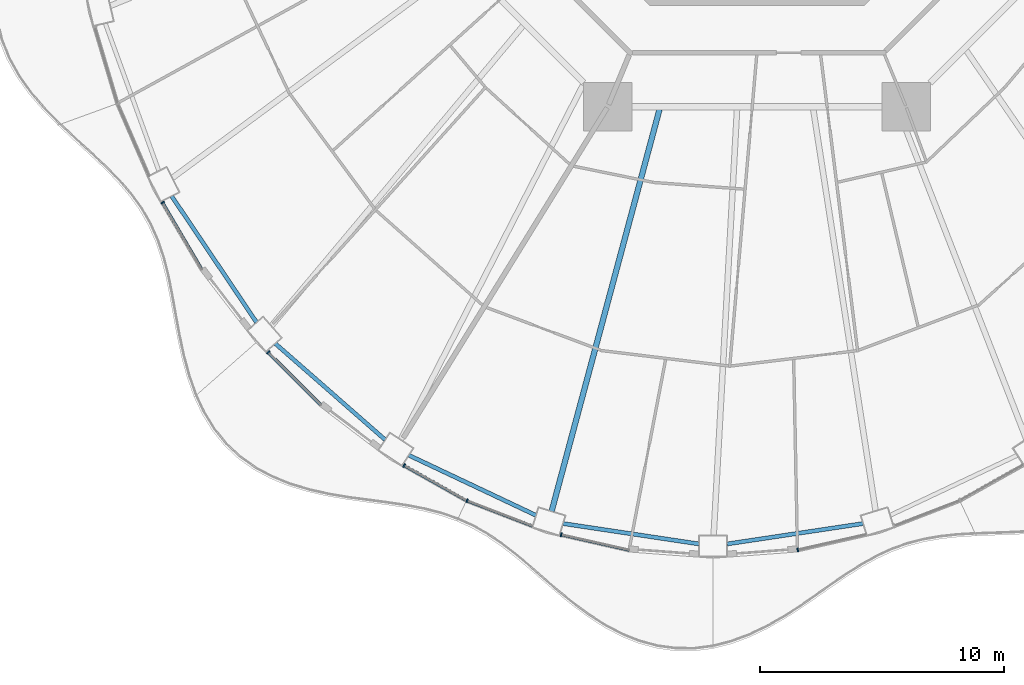
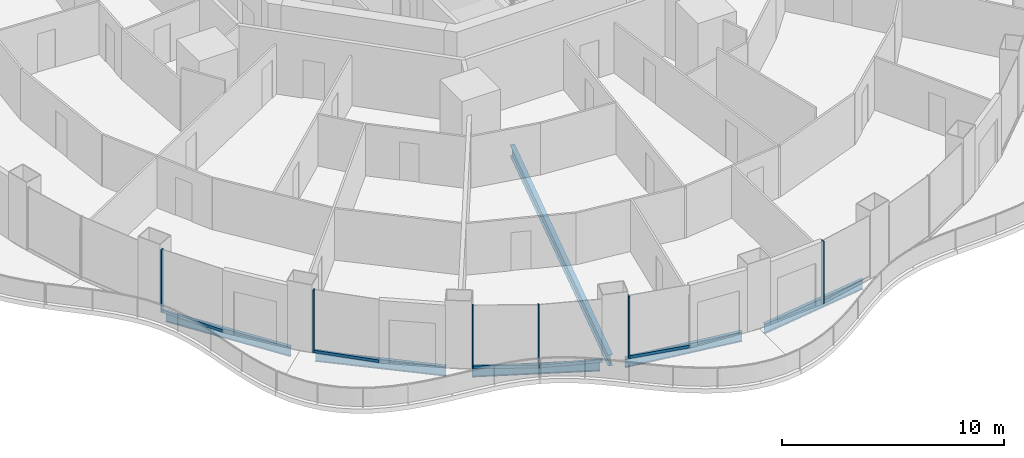
# One storey, part 2 of 21: 11 members, 6 beams, 6 elements without a shape of their own.
"""IFC4 building model written with IfcOpenShell, lengths in metres."""

from ifc_helpers import new_model, si_unit, direction, frame, origin, origin_2d, place, context, subcontext, project, spatial, rectangle, i_section, extrude, material, layer, layer_set, material_profile, profile_set, type_object, element, aggregate, save


model = new_model("IFC4")

# Units and contexts
model_context = context("Model", 3, precision=1e-05, world=origin(), true_north=direction((0.0, 1.0)))
body_context = subcontext(model_context, "Body", "Model", "MODEL_VIEW")
ifc_project = project(units=[si_unit("LENGTHUNIT", "METRE"), si_unit("AREAUNIT", "SQUARE_METRE"), si_unit("VOLUMEUNIT", "CUBIC_METRE"), si_unit("PLANEANGLEUNIT", "RADIAN"), si_unit("MASSUNIT", "GRAM", prefix="KILO")], contexts=[model_context])

# Site, building, storey
site_placement = place(None, origin())
site = spatial("IfcSite", under=ifc_project, at=site_placement, CompositionType="ELEMENT")
building_placement = place(site_placement, origin())
building = spatial("IfcBuilding", under=site, at=building_placement, Name="Nagisa Residences", CompositionType="ELEMENT")
storey_placement = place(building_placement, frame((0.0, 0.0, 138.10009765625)))
storey = spatial("IfcBuildingStorey", under=building, at=storey_placement, Name="L34", CompositionType="ELEMENT", Elevation=138.10009765625)

# Curtain wall, member
ifc_material_1 = material(Name="Concrete-coloured aluminium curtain wall system", Category="concrete")
ifc_layer = layer(ifc_material_1, 0.159912109375)
ifc_layer_set = layer_set([ifc_layer], Name="CW1 CURTAIN WALL")
curtain_wall_type = type_object("IfcCurtainWallType", Name="CW1 CURTAIN WALL", PredefinedType="NOTDEFINED", material=ifc_layer_set)
curtain_wall_1_placement = place(storey_placement, origin())
curtain_wall_1 = element("IfcCurtainWall", 1, at=curtain_wall_1_placement, inside=storey, type_object=curtain_wall_type, Name="cw:CW1:L34:28", PredefinedType="NOTDEFINED")
ifc_material_2 = material(Name="Concrete-coloured aluminium", Category="concrete")
ifc_material_profile_1 = material_profile(ifc_material_2, rectangle(XDim=0.159912109375, YDim=0.06005859375, at=origin_2d()), Name="CW1 MULLION 160x60")
ifc_profile_set_1 = profile_set([ifc_material_profile_1], Name="Concrete-coloured aluminium")
member_type_1 = type_object("IfcMemberType", Name="CW1 MULLION 160x60", PredefinedType="MULLION", material=ifc_profile_set_1)
member_1_placement = place(storey_placement, frame((-24.39208984375, -18.718017578125, 0.0), z_axis=(0.0, 0.0, 1.0), x_axis=(0.862328898214, 0.506348567002, 0.0)))
member_1 = element("IfcMember", 2, at=member_1_placement, type_object=member_type_1, Name="CW1 mullion", PredefinedType="MULLION", context=body_context, shape_type="SweptSolid", body=[
    extrude(rectangle(XDim=0.159912109375, YDim=0.06005859375, at=origin_2d()), origin(), (0.0, 0.0, 1.0), 3.43994140625),
])

curtain_wall_2_placement = place(storey_placement, origin())
curtain_wall_2 = element("IfcCurtainWall", 3, at=curtain_wall_2_placement, inside=storey, type_object=curtain_wall_type, Name="cw:CW1:L34:30", PredefinedType="NOTDEFINED")
member_2_placement = place(storey_placement, frame((-20.060546875, -24.857177734375, 0.0), z_axis=(0.0, 0.0, 1.0), x_axis=(0.706376885714, 0.707835924016, 0.0)))
member_2 = element("IfcMember", 4, at=member_2_placement, type_object=member_type_1, Name="CW1 mullion", PredefinedType="MULLION", context=body_context, shape_type="SweptSolid", body=[
    extrude(rectangle(XDim=0.159912109375, YDim=0.06005859375, at=origin_2d()), origin(), (0.0, 0.0, 1.0), 3.43994140625),
])

curtain_wall_3_placement = place(storey_placement, origin())
curtain_wall_3 = element("IfcCurtainWall", 5, at=curtain_wall_3_placement, inside=storey, type_object=curtain_wall_type, Name="cw:CW1:L34:32", PredefinedType="NOTDEFINED")
member_3_placement = place(storey_placement, frame((-14.47900390625, -29.505859375, 0.0), z_axis=(0.0, 0.0, 1.0), x_axis=(0.489376918501, 0.872072377523, 0.0)))
member_3 = element("IfcMember", 6, at=member_3_placement, type_object=member_type_1, Name="CW1 mullion", PredefinedType="MULLION", context=body_context, shape_type="SweptSolid", body=[
    extrude(rectangle(XDim=0.159912109375, YDim=0.06005859375, at=origin_2d()), origin(), (0.0, 0.0, 1.0), 3.43994140625),
])

curtain_wall_4_placement = place(storey_placement, origin())
curtain_wall_4 = element("IfcCurtainWall", 7, at=curtain_wall_4_placement, inside=storey, type_object=curtain_wall_type, Name="cw:CW1:L34:33", PredefinedType="NOTDEFINED")
member_4_placement = place(storey_placement, frame((-11.897705078125, -30.950439453125, 0.0), z_axis=(0.0, 0.0, 1.0), x_axis=(0.360327770268, 0.932825759707, 0.0)))
member_4 = element("IfcMember", 8, at=member_4_placement, type_object=member_type_1, Name="CW1 mullion", PredefinedType="MULLION", context=body_context, shape_type="SweptSolid", body=[
    extrude(rectangle(XDim=0.159912109375, YDim=0.06005859375, at=origin_2d()), origin(), (0.0, 0.0, 1.0), 3.43994140625),
])

curtain_wall_5_placement = place(storey_placement, origin())
curtain_wall_5 = element("IfcCurtainWall", 9, at=curtain_wall_5_placement, inside=storey, type_object=curtain_wall_type, Name="cw:CW1:L34:34", PredefinedType="NOTDEFINED")
member_5_placement = place(storey_placement, frame((-8.03564453125, -32.344970703125, 0.0), z_axis=(0.0, 0.0, 1.0), x_axis=(0.2207639201, 0.975327274089, 0.0)))
member_5 = element("IfcMember", 10, at=member_5_placement, type_object=member_type_1, Name="CW1 mullion", PredefinedType="MULLION", context=body_context, shape_type="SweptSolid", body=[
    extrude(rectangle(XDim=0.159912109375, YDim=0.06005859375, at=origin_2d()), origin(), (0.0, 0.0, 1.0), 3.43994140625),
])

curtain_wall_6_placement = place(storey_placement, origin())
curtain_wall_6 = element("IfcCurtainWall", 11, at=curtain_wall_6_placement, inside=storey, type_object=curtain_wall_type, Name="cw:CW1:L34:37", PredefinedType="NOTDEFINED")
member_6_placement = place(storey_placement, frame((1.675048828125, -32.9697265625, 0.0), z_axis=(0.0, 0.0, 1.0), x_axis=(-0.2207639201, 0.975327274089, 0.0)))
member_6 = element("IfcMember", 12, at=member_6_placement, type_object=member_type_1, Name="CW1 mullion", PredefinedType="MULLION", context=body_context, shape_type="SweptSolid", body=[
    extrude(rectangle(XDim=0.159912109375, YDim=0.06005859375, at=origin_2d()), origin(), (0.0, 0.0, 1.0), 3.43994140625),
])
aggregate(curtain_wall_6, [member_6])

# Member
ifc_material_3 = material(Name="Concrete-coloured aluminium", Category="concrete")
ifc_material_profile_2 = material_profile(ifc_material_3, rectangle(XDim=0.1201171875, YDim=0.14990234375, at=origin_2d()), Name="CW1 TRANSOM 120x150")
ifc_profile_set_2 = profile_set([ifc_material_profile_2], Name="Concrete-coloured aluminium")
member_type_2 = type_object("IfcMemberType", Name="CW1 TRANSOM 120x150", PredefinedType="USERDEFINED", material=ifc_profile_set_2)
member_7_placement = place(storey_placement, frame((-24.4072265625, -18.692138671875, 0.074951171875), z_axis=(0.506348207891, -0.86232910908, 0.0), x_axis=(0.86232910908, 0.506348207891, 0.0)))
member_7 = element("IfcMember", 13, at=member_7_placement, type_object=member_type_2, Name="CW1 transom", ObjectType="TRANSOM", PredefinedType="USERDEFINED", context=body_context, shape_type="SweptSolid", body=[
    extrude(rectangle(XDim=0.1201171875, YDim=0.14990234375, at=origin_2d()), origin(), (0.0, 0.0, 1.0), 3.208251953125),
])

aggregate(curtain_wall_1, [member_1, member_7])

member_8_placement = place(storey_placement, frame((-20.081787109375, -24.8359375, 0.074951171875), z_axis=(0.707818274975, -0.706394570768, 0.0), x_axis=(0.706394570768, 0.707818274975, 0.0)))
member_8 = element("IfcMember", 14, at=member_8_placement, type_object=member_type_2, Name="CW1 transom", ObjectType="TRANSOM", PredefinedType="USERDEFINED", context=body_context, shape_type="SweptSolid", body=[
    extrude(rectangle(XDim=0.1201171875, YDim=0.14990234375, at=origin_2d()), origin(), (0.0, 0.0, 1.0), 3.086669921875),
])

aggregate(curtain_wall_2, [member_2, member_8])

member_9_placement = place(storey_placement, frame((-14.505126953125, -29.4912109375, 0.074951171875), z_axis=(0.87206688547, -0.489386705241, 0.0), x_axis=(0.489386705241, 0.87206688547, 0.0)))
member_9 = element("IfcMember", 15, at=member_9_placement, type_object=member_type_2, Name="CW1 transom", ObjectType="TRANSOM", PredefinedType="USERDEFINED", context=body_context, shape_type="SweptSolid", body=[
    extrude(rectangle(XDim=0.1201171875, YDim=0.14990234375, at=origin_2d()), origin(), (0.0, 0.0, 1.0), 2.9697265625),
])

aggregate(curtain_wall_3, [member_3, member_9])

member_10_placement = place(storey_placement, frame((-11.92578125, -30.939697265625, 0.074951171875), z_axis=(0.932845344347, -0.360277064952, 0.0), x_axis=(0.360277064952, 0.932845344347, 0.0)))
member_10 = element("IfcMember", 16, at=member_10_placement, type_object=member_type_2, Name="CW1 transom", ObjectType="TRANSOM", PredefinedType="USERDEFINED", context=body_context, shape_type="SweptSolid", body=[
    extrude(rectangle(XDim=0.1201171875, YDim=0.14990234375, at=origin_2d()), origin(), (0.0, 0.0, 1.0), 2.92333984375),
])

aggregate(curtain_wall_4, [member_4, member_10])

member_11_placement = place(storey_placement, frame((-8.06494140625, -32.338134765625, 0.074951171875), z_axis=(0.975320849653, -0.220792301117, 0.0), x_axis=(0.220792301117, 0.975320849653, 0.0)))
member_11 = element("IfcMember", 17, at=member_11_placement, type_object=member_type_2, Name="CW1 transom", ObjectType="TRANSOM", PredefinedType="USERDEFINED", context=body_context, shape_type="SweptSolid", body=[
    extrude(rectangle(XDim=0.1201171875, YDim=0.14990234375, at=origin_2d()), origin(), (0.0, 0.0, 1.0), 2.890380859375),
])

aggregate(curtain_wall_5, [member_5, member_11])

# Beams
ifc_material_4 = material(Name="Steel ASTM A572 Gr 50", Category="steel")
ifc_material_profile_3 = material_profile(ifc_material_4, i_section(OverallWidth=0.166015625, OverallDepth=0.534912109375, WebThickness=0.01025390625, FlangeThickness=0.0166015625, at=origin_2d()), Name="W530x85")
ifc_profile_set_3 = profile_set([ifc_material_profile_3], Name="Steel ASTM A572 Gr 50")
beam_type_1 = type_object("IfcBeamType", Name="Perimeter ring beam W530x85", PredefinedType="BEAM", material=ifc_profile_set_3)
beam_1_placement = place(storey_placement, frame((-24.020751953125, -18.4501953125, -0.527587890625), z_axis=(0.558187951157, -0.82971453596, 0.0), x_axis=(0.82971453596, 0.558187951157, 0.0)))
element("IfcBeam", 18, at=beam_1_placement, inside=storey, type_object=beam_type_1, Name="beam:L34:pb15", PredefinedType="BEAM", context=body_context, shape_type="SweptSolid", body=[
    extrude(i_section(OverallWidth=0.166015625, OverallDepth=0.534912109375, WebThickness=0.01025390625, FlangeThickness=0.0166015625, at=origin_2d()), origin(), (0.0, 0.0, 1.0), 6.24267578125),
])
beam_2_placement = place(storey_placement, frame((-19.769287109375, -24.500732421875, -0.527587890625), z_axis=(0.75252371036, -0.658565156493, 0.0), x_axis=(0.658565156493, 0.75252371036, 0.0)))
element("IfcBeam", 19, at=beam_2_placement, inside=storey, type_object=beam_type_1, Name="beam:L34:pb16", PredefinedType="BEAM", context=body_context, shape_type="SweptSolid", body=[
    extrude(i_section(OverallWidth=0.166015625, OverallDepth=0.534912109375, WebThickness=0.01025390625, FlangeThickness=0.0166015625, at=origin_2d()), origin(), (0.0, 0.0, 1.0), 5.994384765625),
])
beam_3_placement = place(storey_placement, frame((-14.287841796875, -29.084716796875, -0.527587890625), z_axis=(0.904186034847, -0.427138870143, 0.0), x_axis=(0.427138870143, 0.904186034847, 0.0)))
element("IfcBeam", 20, at=beam_3_placement, inside=storey, type_object=beam_type_1, Name="beam:L34:pb17", PredefinedType="BEAM", context=body_context, shape_type="SweptSolid", body=[
    extrude(i_section(OverallWidth=0.166015625, OverallDepth=0.534912109375, WebThickness=0.01025390625, FlangeThickness=0.0166015625, at=origin_2d()), origin(), (0.0, 0.0, 1.0), 5.772216796875),
])
for number, where, z_axis, x_axis, name in (
    (21, (-7.958251953125, -31.887939453125, -0.527587890625), (0.9889122118, -0.148501304214, 0.0), (0.148501304214, 0.9889122118, 0.0), "beam:L34:pb18"),
    (22, (-1.2197265625, -32.7255859375, -0.527587890625), (0.9889122118, 0.148501304214, 0.0), (-0.148501304214, 0.9889122118, 0.0), "beam:L34:pb19"),
):
    element("IfcBeam", number, at=place(storey_placement, frame(where, z_axis=z_axis, x_axis=x_axis)), inside=storey, type_object=beam_type_1, Name=name, PredefinedType="BEAM", context=body_context, shape_type="SweptSolid", body=[
        extrude(i_section(OverallWidth=0.166015625, OverallDepth=0.534912109375, WebThickness=0.01025390625, FlangeThickness=0.0166015625, at=origin_2d()), origin(), (0.0, 0.0, 1.0), 5.640625),
    ])
ifc_material_5 = material(Name="Steel ASTM A572 Gr 50", Category="steel")
ifc_material_profile_4 = material_profile(ifc_material_5, i_section(OverallWidth=0.22900390625, OverallDepth=0.612060546875, WebThickness=0.011962890625, FlangeThickness=0.01953125, at=origin_2d()), Name="W610x125")
ifc_profile_set_4 = profile_set([ifc_material_profile_4], Name="Steel ASTM A572 Gr 50")
beam_type_2 = type_object("IfcBeamType", Name="Radial beam W610x125", PredefinedType="BEAM", material=ifc_profile_set_4)
beam_4_placement = place(storey_placement, frame((-8.4267578125, -31.38525390625, -0.566162109375), z_axis=(0.25930906211, 0.965794393392, 0.0), x_axis=(-0.965794393392, 0.25930906211, 0.0)))
element("IfcBeam", 23, at=beam_4_placement, inside=storey, type_object=beam_type_2, Name="beam:L34:rb18", PredefinedType="BEAM", context=body_context, shape_type="SweptSolid", body=[
    extrude(i_section(OverallWidth=0.22900390625, OverallDepth=0.612060546875, WebThickness=0.011962890625, FlangeThickness=0.01953125, at=origin_2d()), origin(), (0.0, 0.0, 1.0), 17.079833984375),
])

save(model, "model.ifc")
